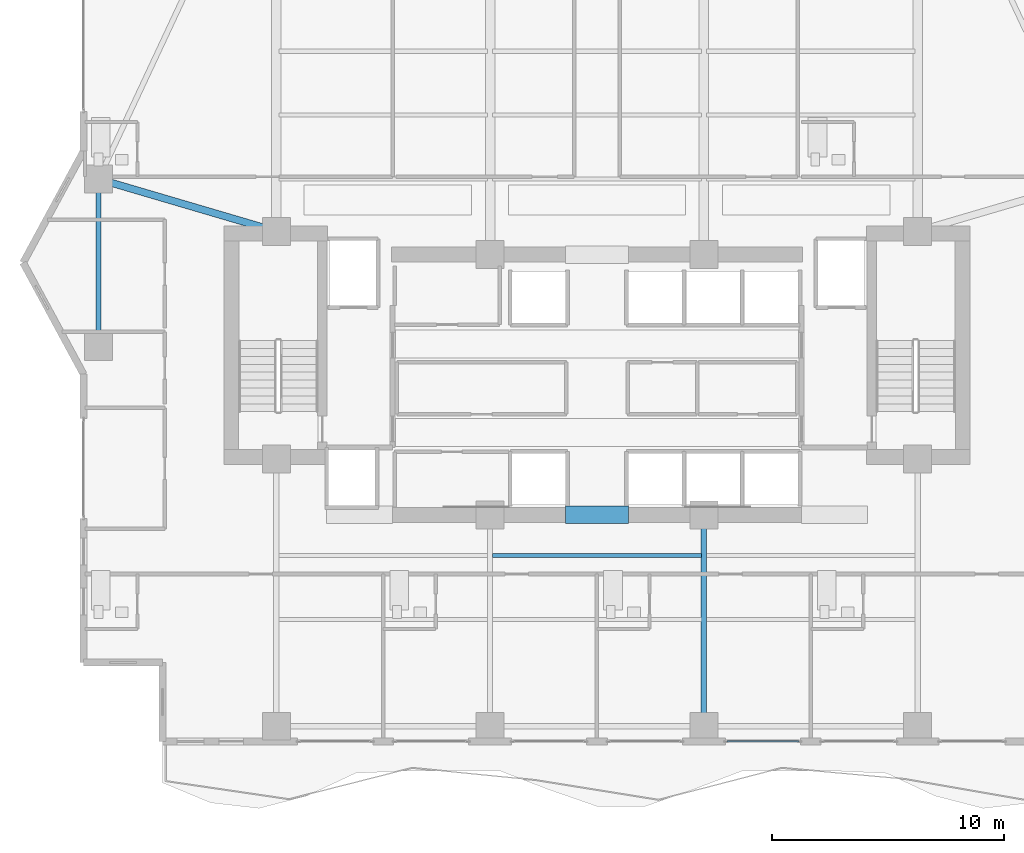
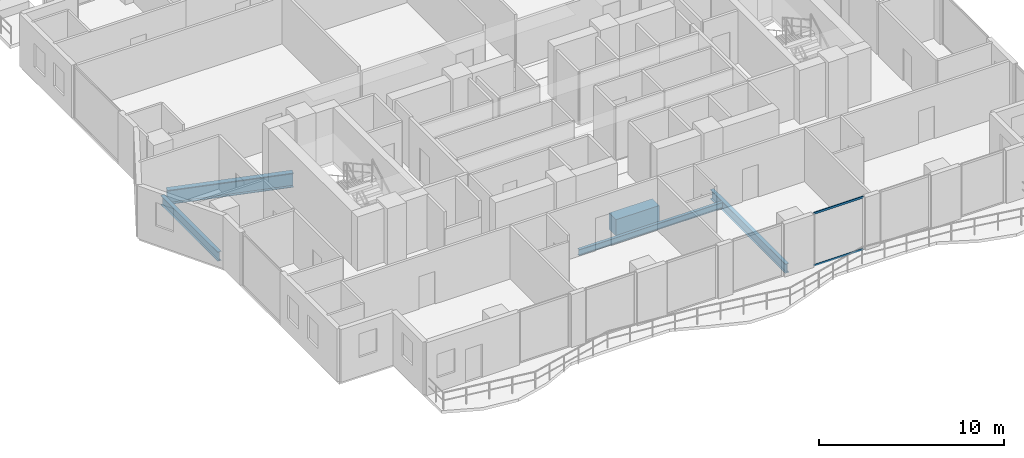
# One storey, part 6 of 33: 5 beams, 2 members, 1 element without a shape of its own.
"""IFC4 building model written with IfcOpenShell, lengths in metres."""

from ifc_helpers import new_model, si_unit, direction, frame, origin, origin_2d, place, context, subcontext, project, spatial, rectangle, hollow_rectangle, i_section, extrude, material, layer, layer_set, material_profile, profile_set, type_object, element, aggregate, save


model = new_model("IFC4")

# Units and contexts
model_context = context("Model", 3, precision=1e-05, world=origin(), true_north=direction((0.0, 1.0)))
body_context = subcontext(model_context, "Body", "Model", "MODEL_VIEW")
ifc_project = project(units=[si_unit("LENGTHUNIT", "METRE"), si_unit("AREAUNIT", "SQUARE_METRE"), si_unit("VOLUMEUNIT", "CUBIC_METRE"), si_unit("PLANEANGLEUNIT", "RADIAN"), si_unit("MASSUNIT", "GRAM", prefix="KILO")], contexts=[model_context])

# Site, building, storey
site_placement = place(None, origin())
site = spatial("IfcSite", under=ifc_project, at=site_placement, CompositionType="ELEMENT")
building_placement = place(site_placement, origin())
building = spatial("IfcBuilding", under=site, at=building_placement, Name="Zuhayl Quay Hotel", CompositionType="ELEMENT")
storey_placement = place(building_placement, frame((0.0, 0.0, 229.89990234375)))
storey = spatial("IfcBuildingStorey", under=building, at=storey_placement, Name="L58", CompositionType="ELEMENT", Elevation=229.89990234375)

# Beams
ifc_material_1 = material(Name="Steel ASTM A992 Grade 50", Category="steel")
ifc_material_profile_1 = material_profile(ifc_material_1, i_section(OverallWidth=0.22802734375, OverallDepth=0.60693359375, WebThickness=0.01123046875, FlangeThickness=0.017333984375, at=origin_2d()), Name="W24X76")
ifc_profile_set_1 = profile_set([ifc_material_profile_1], Name="Steel ASTM A992 Grade 50")
beam_type_1 = type_object("IfcBeamType", Name="BM_B3_W24X76", PredefinedType="BEAM", material=ifc_profile_set_1)
beam_1_placement = place(storey_placement, frame((-21.449951171875, 16.10009765625, -0.5234375), z_axis=(0.0, -1.0, 0.0), x_axis=(1.0, 0.0, 0.0)))
element("IfcBeam", 1, at=beam_1_placement, inside=storey, type_object=beam_type_1, Name="L58 Floor Beam RG_L58_11", PredefinedType="BEAM", context=body_context, shape_type="SweptSolid", body=[
    extrude(i_section(OverallWidth=0.22802734375, OverallDepth=0.60693359375, WebThickness=0.01123046875, FlangeThickness=0.017333984375, at=origin_2d()), origin(), (0.0, 0.0, 1.0), 6.2001953125),
])
beam_2_placement = place(storey_placement, frame((4.60009765625, -6.449951171875, -0.5234375), z_axis=(0.0, 1.0, 0.0), x_axis=(-1.0, 0.0, 0.0)))
element("IfcBeam", 2, at=beam_2_placement, inside=storey, type_object=beam_type_1, Name="L58 Floor Beam FG_S_L58_3", PredefinedType="BEAM", context=body_context, shape_type="SweptSolid", body=[
    extrude(i_section(OverallWidth=0.22802734375, OverallDepth=0.60693359375, WebThickness=0.01123046875, FlangeThickness=0.017333984375, at=origin_2d()), origin(), (0.0, 0.0, 1.0), 8.14990234375),
])
ifc_material_2 = material(Name="Concrete C60/75", Category="concrete")
ifc_material_profile_2 = material_profile(ifc_material_2, rectangle(XDim=0.75, YDim=1.10009765625, at=origin_2d()), Name="RC750X1100")
ifc_profile_set_2 = profile_set([ifc_material_profile_2], Name="Concrete C60/75")
beam_type_2 = type_object("IfcBeamType", Name="BM_CB2_RC750", PredefinedType="T_BEAM", material=ifc_profile_set_2)
beam_3_placement = place(storey_placement, frame((-1.35009765625, 2.14990234375, -0.77001953125), z_axis=(1.0, 0.0, 0.0), x_axis=(0.0, 1.0, 0.0)))
element("IfcBeam", 3, at=beam_3_placement, inside=storey, type_object=beam_type_2, Name="L58 Core Coupling Beam South", PredefinedType="T_BEAM", context=body_context, shape_type="SweptSolid", body=[
    extrude(rectangle(XDim=0.75, YDim=1.10009765625, at=origin_2d()), origin(), (0.0, 0.0, 1.0), 2.7001953125),
])
ifc_material_profile_3 = material_profile(ifc_material_1, i_section(OverallWidth=0.177978515625, OverallDepth=0.406005859375, WebThickness=0.0078125, FlangeThickness=0.0126953125, at=origin_2d()), Name="W16X40")
ifc_profile_set_3 = profile_set([ifc_material_profile_3], Name="Steel ASTM A992 Grade 50")
beam_type_3 = type_object("IfcBeamType", Name="BM_J2B_W16X40", PredefinedType="JOIST", material=ifc_profile_set_3)
beam_4_placement = place(storey_placement, frame((-4.493896484375, 0.39990234375, -0.4228515625), z_axis=(1.0, 0.0, 0.0), x_axis=(0.0, 1.0, 0.0)))
element("IfcBeam", 4, at=beam_4_placement, inside=storey, type_object=beam_type_3, Name="L58 Floor Beam FJ_L58_8_2", PredefinedType="JOIST", context=body_context, shape_type="SweptSolid", body=[
    extrude(i_section(OverallWidth=0.177978515625, OverallDepth=0.406005859375, WebThickness=0.0078125, FlangeThickness=0.0126953125, at=origin_2d()), origin(), (0.0, 0.0, 1.0), 8.98779296875),
])
ifc_material_profile_4 = material_profile(ifc_material_1, i_section(OverallWidth=0.31005859375, OverallDepth=0.949951171875, WebThickness=0.0244140625, FlangeThickness=0.0439453125, at=origin_2d()), Name="W36X256")
ifc_profile_set_4 = profile_set([ifc_material_profile_4], Name="Steel ASTM A992 Grade 50")
beam_type_4 = type_object("IfcBeamType", Name="BM_PG1_W36X256", PredefinedType="BEAM", material=ifc_profile_set_4)
beam_5_placement = place(storey_placement, frame((-20.97021484375, 16.458984375, -0.69482421875), z_axis=(0.959364948093, -0.282168205812, 0.0), x_axis=(0.282168205812, 0.959364948093, 0.0)))
element("IfcBeam", 5, at=beam_5_placement, inside=storey, type_object=beam_type_4, Name="L58 Floor Beam FG_W_L58_2", PredefinedType="BEAM", context=body_context, shape_type="SweptSolid", body=[
    extrude(i_section(OverallWidth=0.31005859375, OverallDepth=0.949951171875, WebThickness=0.0244140625, FlangeThickness=0.0439453125, at=origin_2d()), origin(), (0.0, 0.0, 1.0), 7.02392578125),
])

# Curtain wall, members
ifc_material_3 = material(Name="Anodised Aluminium 6063-T6", Category="aluminium")
ifc_layer = layer(ifc_material_3, 0.175048828125, Name="Anodised Aluminium 6063-T6", Category="aluminium")
ifc_layer_set = layer_set([ifc_layer], Name="Anodised Aluminium 6063-T6")
curtain_wall_type = type_object("IfcCurtainWallType", Name="CW_SYS_Z3", PredefinedType="USERDEFINED", material=ifc_layer_set)
curtain_wall_placement = place(storey_placement, origin())
curtain_wall = element("IfcCurtainWall", 6, at=curtain_wall_placement, inside=storey, type_object=curtain_wall_type, Name="L58 Curtain Wall ENV_L58_S_CW3", ObjectType="UNITISED CURTAIN WALL", PredefinedType="USERDEFINED")
ifc_material_4 = material(Name="Black-anodised aluminium 6063-T6", Category="aluminium")
ifc_material_profile_5 = material_profile(ifc_material_4, hollow_rectangle(XDim=0.054931640625, YDim=0.1298828125, WallThickness=0.0029296875, at=origin_2d()), Name="ALU130X55")
ifc_profile_set_5 = profile_set([ifc_material_profile_5], Name="Black-anodised aluminium 6063-T6")
member_type = type_object("IfcMemberType", Name="MB_CW_TRN_130", PredefinedType="USERDEFINED", material=ifc_profile_set_5)
member_1_placement = place(storey_placement, frame((8.68505859375, -7.60009765625, 0.027587890625), z_axis=(-1.0, 0.0, 0.0), x_axis=(0.0, -1.0, 0.0)))
member_1 = element("IfcMember", 7, at=member_1_placement, type_object=member_type, Name="CW-Z3 transom 1.1", ObjectType="TRANSOM", PredefinedType="USERDEFINED", context=body_context, shape_type="SweptSolid", body=[
    extrude(hollow_rectangle(XDim=0.054931640625, YDim=0.1298828125, WallThickness=0.0029296875, at=origin_2d()), origin(), (0.0, 0.0, 1.0), 3.10009765625),
])
member_2_placement = place(storey_placement, frame((8.68505859375, -7.60009765625, 3.462646484375), z_axis=(-1.0, 0.0, 0.0), x_axis=(0.0, -1.0, 0.0)))
member_2 = element("IfcMember", 8, at=member_2_placement, type_object=member_type, Name="CW-Z3 transom 1.2", ObjectType="TRANSOM", PredefinedType="USERDEFINED", context=body_context, shape_type="SweptSolid", body=[
    extrude(hollow_rectangle(XDim=0.054931640625, YDim=0.1298828125, WallThickness=0.0029296875, at=origin_2d()), origin(), (0.0, 0.0, 1.0), 3.10009765625),
])
aggregate(curtain_wall, [member_1, member_2])

save(model, "model.ifc")
